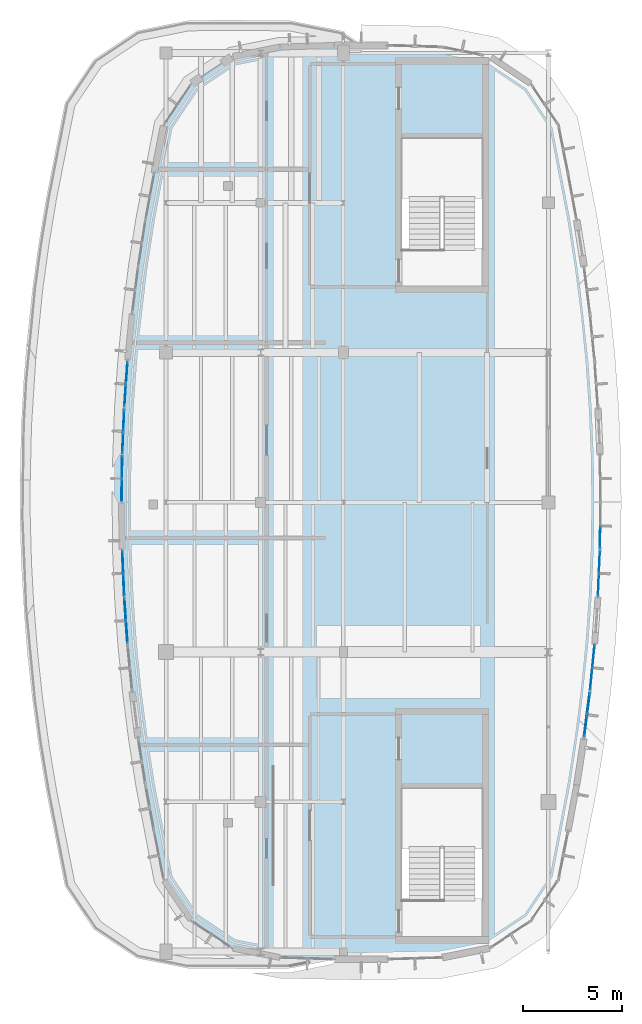
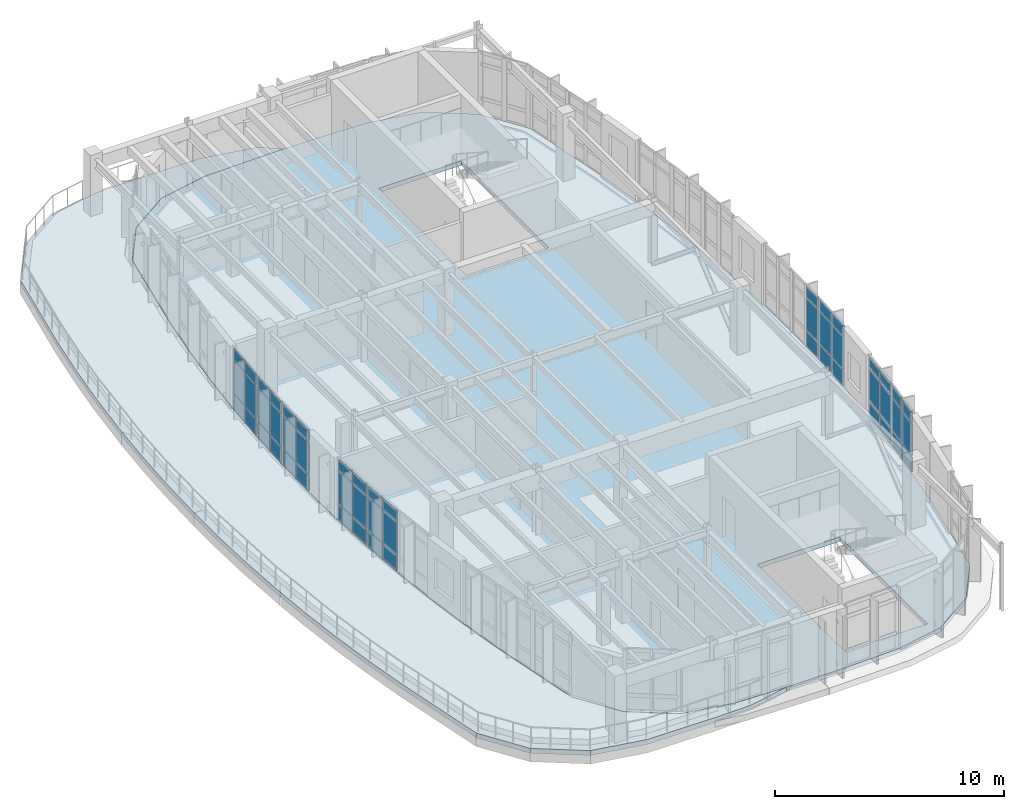
# One storey, part 13 of 20: 51 plates, 2 slabs, 9 elements without a shape of their own.
"""IFC4 building model written with IfcOpenShell, lengths in metres."""

from ifc_helpers import new_model, si_unit, direction, frame, origin, origin_2d, place, context, subcontext, project, spatial, polyline, rectangle, outline, extrude, material, layer, layer_set, type_object, element, aggregate, save


model = new_model("IFC4")

# Units and contexts
model_context = context("Model", 3, precision=1e-05, world=origin(), true_north=direction((0.0, 1.0)))
body_context = subcontext(model_context, "Body", "Model", "MODEL_VIEW")
ifc_project = project(units=[si_unit("LENGTHUNIT", "METRE"), si_unit("AREAUNIT", "SQUARE_METRE"), si_unit("VOLUMEUNIT", "CUBIC_METRE"), si_unit("PLANEANGLEUNIT", "RADIAN"), si_unit("MASSUNIT", "GRAM", prefix="KILO")], contexts=[model_context])

# Site, building, storey
site_placement = place(None, origin())
site = spatial("IfcSite", under=ifc_project, at=site_placement, CompositionType="ELEMENT")
building_placement = place(site_placement, origin())
building = spatial("IfcBuilding", under=site, at=building_placement, Name="Corveleigh Park Community Centre", CompositionType="ELEMENT")
storey_placement = place(building_placement, frame((0.0, 0.0, 16.199951171875)))
storey = spatial("IfcBuildingStorey", under=building, at=storey_placement, Name="L04", CompositionType="ELEMENT", Elevation=16.199951171875)

# Curtain wall, plates
ifc_material_1 = material(Name="Anodised aluminium 6063-T6", Category="aluminium")
curtain_wall_type = type_object("IfcCurtainWallType", Name="CW-SYS-V4-L03", PredefinedType="NOTDEFINED", material=ifc_material_1)
curtain_wall_1_placement = place(storey_placement, origin())
curtain_wall_1 = element("IfcCurtainWall", 1, at=curtain_wall_1_placement, inside=storey, type_object=curtain_wall_type, Name="V4 L04 Curtain Wall 445", PredefinedType="NOTDEFINED")
ifc_material_2 = material(Name="Low-E double glazing", Category="glass")
ifc_layer_1 = layer(ifc_material_2, 0.02392578125, Name="Low-E double glazing", Category="glass")
ifc_layer_set_1 = layer_set([ifc_layer_1], Name="Low-E double glazing")
plate_type_1 = type_object("IfcPlateType", Name="CWP-GLZ-24", PredefinedType="CURTAIN_PANEL", material=ifc_layer_set_1)
plate_1_placement = place(storey_placement, frame((170.68701171875, 73.588134765625, 0.080078125), z_axis=(0.0, 0.0, 1.0), x_axis=(-0.098174367416, -0.995169228615, 0.0)))
plate_1 = element("IfcPlate", 2, at=plate_1_placement, type_object=plate_type_1, Name="CW09 panel 1.1", PredefinedType="CURTAIN_PANEL", context=body_context, shape_type="SweptSolid", body=[
    extrude(rectangle(XDim=1.101806640625, YDim=0.02392578125, at=origin_2d()), origin(), (0.0, 0.0, 1.0), 0.780029296875),
])
plate_2_placement = place(storey_placement, frame((170.68701171875, 73.588134765625, 0.93994140625), z_axis=(0.0, 0.0, 1.0), x_axis=(-0.098174367416, -0.995169228615, 0.0)))
plate_2 = element("IfcPlate", 3, at=plate_2_placement, type_object=plate_type_1, Name="CW09 panel 1.2", PredefinedType="CURTAIN_PANEL", context=body_context, shape_type="SweptSolid", body=[
    extrude(rectangle(XDim=1.101806640625, YDim=0.02392578125, at=origin_2d()), origin(), (0.0, 0.0, 1.0), 1.681884765625),
])
plate_3_placement = place(storey_placement, frame((170.68701171875, 73.588134765625, 2.7021484375), z_axis=(0.0, 0.0, 1.0), x_axis=(-0.098174367416, -0.995169228615, 0.0)))
plate_3 = element("IfcPlate", 4, at=plate_3_placement, type_object=plate_type_1, Name="CW09 panel 1.3", PredefinedType="CURTAIN_PANEL", context=body_context, shape_type="SweptSolid", body=[
    extrude(rectangle(XDim=1.101806640625, YDim=0.02392578125, at=origin_2d()), origin(), (0.0, 0.0, 1.0), 0.530029296875),
])
plate_4_placement = place(storey_placement, frame((170.572998046875, 72.431884765625, 0.080078125), z_axis=(0.0, 0.0, 1.0), x_axis=(-0.098174367416, -0.995169228615, 0.0)))
plate_4 = element("IfcPlate", 5, at=plate_4_placement, type_object=plate_type_1, Name="CW09 panel 2.1", PredefinedType="CURTAIN_PANEL", context=body_context, shape_type="SweptSolid", body=[
    extrude(rectangle(XDim=1.101806640625, YDim=0.02392578125, at=origin_2d()), origin(), (0.0, 0.0, 1.0), 0.780029296875),
])
plate_5_placement = place(storey_placement, frame((170.572998046875, 72.431884765625, 0.93994140625), z_axis=(0.0, 0.0, 1.0), x_axis=(-0.098174367416, -0.995169228615, 0.0)))
plate_5 = element("IfcPlate", 6, at=plate_5_placement, type_object=plate_type_1, Name="CW09 panel 2.2", PredefinedType="CURTAIN_PANEL", context=body_context, shape_type="SweptSolid", body=[
    extrude(rectangle(XDim=1.101806640625, YDim=0.02392578125, at=origin_2d()), origin(), (0.0, 0.0, 1.0), 1.681884765625),
])
plate_6_placement = place(storey_placement, frame((170.572998046875, 72.431884765625, 2.7021484375), z_axis=(0.0, 0.0, 1.0), x_axis=(-0.098174367416, -0.995169228615, 0.0)))
plate_6 = element("IfcPlate", 7, at=plate_6_placement, type_object=plate_type_1, Name="CW09 panel 2.3", PredefinedType="CURTAIN_PANEL", context=body_context, shape_type="SweptSolid", body=[
    extrude(rectangle(XDim=1.101806640625, YDim=0.02392578125, at=origin_2d()), origin(), (0.0, 0.0, 1.0), 0.530029296875),
])
aggregate(curtain_wall_1, [plate_1, plate_2, plate_3, plate_4, plate_5, plate_6])

curtain_wall_2_placement = place(storey_placement, origin())
curtain_wall_2 = element("IfcCurtainWall", 8, at=curtain_wall_2_placement, inside=storey, type_object=curtain_wall_type, Name="V4 L04 Curtain Wall 446", PredefinedType="NOTDEFINED")
plate_7_placement = place(storey_placement, frame((170.992919921875, 78.37841796875, 0.06005859375), z_axis=(0.0, 0.0, 1.0), x_axis=(-0.042799888207, -0.99908366495, 0.0)))
plate_7 = element("IfcPlate", 9, at=plate_7_placement, type_object=plate_type_1, Name="CW09 panel 1.1", PredefinedType="CURTAIN_PANEL", context=body_context, shape_type="SweptSolid", body=[
    extrude(rectangle(XDim=1.093994140625, YDim=0.02392578125, at=origin_2d()), origin(), (0.0, 0.0, 1.0), 0.81005859375),
])
plate_8_placement = place(storey_placement, frame((170.992919921875, 78.37841796875, 0.93017578125), z_axis=(0.0, 0.0, 1.0), x_axis=(-0.042799888207, -0.99908366495, 0.0)))
plate_8 = element("IfcPlate", 10, at=plate_8_placement, type_object=plate_type_1, Name="CW09 panel 1.2", PredefinedType="CURTAIN_PANEL", context=body_context, shape_type="SweptSolid", body=[
    extrude(rectangle(XDim=1.093994140625, YDim=0.02392578125, at=origin_2d()), origin(), (0.0, 0.0, 1.0), 1.701904296875),
])
plate_9_placement = place(storey_placement, frame((170.992919921875, 78.37841796875, 2.692138671875), z_axis=(0.0, 0.0, 1.0), x_axis=(-0.042799888207, -0.99908366495, 0.0)))
plate_9 = element("IfcPlate", 11, at=plate_9_placement, type_object=plate_type_1, Name="CW09 panel 1.3", PredefinedType="CURTAIN_PANEL", context=body_context, shape_type="SweptSolid", body=[
    extrude(rectangle(XDim=1.093994140625, YDim=0.02392578125, at=origin_2d()), origin(), (0.0, 0.0, 1.0), 0.56005859375),
])
plate_10_placement = place(storey_placement, frame((170.943115234375, 77.220458984375, 0.06005859375), z_axis=(0.0, 0.0, 1.0), x_axis=(-0.042799888207, -0.99908366495, 0.0)))
plate_10 = element("IfcPlate", 12, at=plate_10_placement, type_object=plate_type_1, Name="CW09 panel 2.1", PredefinedType="CURTAIN_PANEL", context=body_context, shape_type="SweptSolid", body=[
    extrude(rectangle(XDim=1.093994140625, YDim=0.02392578125, at=origin_2d()), origin(), (0.0, 0.0, 1.0), 0.81005859375),
])
plate_11_placement = place(storey_placement, frame((170.943115234375, 77.220458984375, 0.93017578125), z_axis=(0.0, 0.0, 1.0), x_axis=(-0.042799888207, -0.99908366495, 0.0)))
plate_11 = element("IfcPlate", 13, at=plate_11_placement, type_object=plate_type_1, Name="CW09 panel 2.2", PredefinedType="CURTAIN_PANEL", context=body_context, shape_type="SweptSolid", body=[
    extrude(rectangle(XDim=1.093994140625, YDim=0.02392578125, at=origin_2d()), origin(), (0.0, 0.0, 1.0), 1.701904296875),
])
plate_12_placement = place(storey_placement, frame((170.943115234375, 77.220458984375, 2.692138671875), z_axis=(0.0, 0.0, 1.0), x_axis=(-0.042799888207, -0.99908366495, 0.0)))
plate_12 = element("IfcPlate", 14, at=plate_12_placement, type_object=plate_type_1, Name="CW09 panel 2.3", PredefinedType="CURTAIN_PANEL", context=body_context, shape_type="SweptSolid", body=[
    extrude(rectangle(XDim=1.093994140625, YDim=0.02392578125, at=origin_2d()), origin(), (0.0, 0.0, 1.0), 0.56005859375),
])
aggregate(curtain_wall_2, [plate_7, plate_8, plate_9, plate_10, plate_11, plate_12])

curtain_wall_3_placement = place(storey_placement, origin())
curtain_wall_3 = element("IfcCurtainWall", 15, at=curtain_wall_3_placement, inside=storey, type_object=curtain_wall_type, Name="V4 L04 Curtain Wall 447", PredefinedType="NOTDEFINED")
ifc_layer_2 = layer(ifc_material_2, 0.028076171875, Name="Low-E double glazing", Category="glass")
ifc_layer_set_2 = layer_set([ifc_layer_2], Name="Low-E double glazing")
plate_type_2 = type_object("IfcPlateType", Name="CWP-GLZ-28", PredefinedType="CURTAIN_PANEL", material=ifc_layer_set_2)
plate_13_placement = place(storey_placement, frame((171.02783203125, 79.621337890625, 0.06494140625), z_axis=(0.0, 0.0, 1.0), x_axis=(-0.01426627775, -0.999898231481, 0.0)))
plate_13 = element("IfcPlate", 16, at=plate_13_placement, type_object=plate_type_2, Name="CW09 panel 2.1", PredefinedType="CURTAIN_PANEL", context=body_context, shape_type="SweptSolid", body=[
    extrude(rectangle(XDim=1.086669921875, YDim=0.028076171875, at=origin_2d()), origin(), (0.0, 0.0, 1.0), 0.802490234375),
])
plate_14_placement = place(storey_placement, frame((171.02783203125, 79.621337890625, 0.9326171875), z_axis=(0.0, 0.0, 1.0), x_axis=(-0.01426627775, -0.999898231481, 0.0)))
plate_14 = element("IfcPlate", 17, at=plate_14_placement, type_object=plate_type_2, Name="CW09 panel 2.2", PredefinedType="CURTAIN_PANEL", context=body_context, shape_type="SweptSolid", body=[
    extrude(rectangle(XDim=1.086669921875, YDim=0.028076171875, at=origin_2d()), origin(), (0.0, 0.0, 1.0), 1.697021484375),
])
plate_15_placement = place(storey_placement, frame((171.02783203125, 79.621337890625, 2.6943359375), z_axis=(0.0, 0.0, 1.0), x_axis=(-0.01426627775, -0.999898231481, 0.0)))
plate_15 = element("IfcPlate", 18, at=plate_15_placement, type_object=plate_type_2, Name="CW09 panel 2.3", PredefinedType="CURTAIN_PANEL", context=body_context, shape_type="SweptSolid", body=[
    extrude(rectangle(XDim=1.086669921875, YDim=0.028076171875, at=origin_2d()), origin(), (0.0, 0.0, 1.0), 0.552490234375),
])
aggregate(curtain_wall_3, [plate_13, plate_14, plate_15])

curtain_wall_4_placement = place(storey_placement, origin())
curtain_wall_4 = element("IfcCurtainWall", 19, at=curtain_wall_4_placement, inside=storey, type_object=curtain_wall_type, Name="V4 L04 Curtain Wall 461", PredefinedType="NOTDEFINED")
ifc_layer_3 = layer(ifc_material_2, 0.031982421875, Name="Low-E double glazing", Category="glass")
ifc_layer_set_3 = layer_set([ifc_layer_3], Name="Low-E double glazing")
plate_type_3 = type_object("IfcPlateType", Name="CWP-GLZ-32", PredefinedType="CURTAIN_PANEL", material=ifc_layer_set_3)
plate_16_placement = place(storey_placement, frame((146.92724609375, 86.8232421875, 0.06005859375), z_axis=(0.0, 0.0, 1.0), x_axis=(0.070083872142, 0.997541102344, 0.0)))
plate_16 = element("IfcPlate", 20, at=plate_16_placement, type_object=plate_type_3, Name="CW09 panel 1.1", PredefinedType="CURTAIN_PANEL", context=body_context, shape_type="SweptSolid", body=[
    extrude(rectangle(XDim=1.071533203125, YDim=0.031982421875, at=origin_2d()), origin(), (0.0, 0.0, 1.0), 0.81005859375),
])
plate_17_placement = place(storey_placement, frame((146.92724609375, 86.8232421875, 0.929931640625), z_axis=(0.0, 0.0, 1.0), x_axis=(0.070083872142, 0.997541102344, 0.0)))
plate_17 = element("IfcPlate", 21, at=plate_17_placement, type_object=plate_type_3, Name="CW09 panel 1.2", PredefinedType="CURTAIN_PANEL", context=body_context, shape_type="SweptSolid", body=[
    extrude(rectangle(XDim=1.071533203125, YDim=0.031982421875, at=origin_2d()), origin(), (0.0, 0.0, 1.0), 1.72705078125),
])
plate_18_placement = place(storey_placement, frame((146.92724609375, 86.8232421875, 2.717041015625), z_axis=(0.0, 0.0, 1.0), x_axis=(0.070083872142, 0.997541102344, 0.0)))
plate_18 = element("IfcPlate", 22, at=plate_18_placement, type_object=plate_type_3, Name="CW09 panel 1.3", PredefinedType="CURTAIN_PANEL", context=body_context, shape_type="SweptSolid", body=[
    extrude(rectangle(XDim=1.071533203125, YDim=0.031982421875, at=origin_2d()), origin(), (0.0, 0.0, 1.0), 0.56005859375),
])
plate_19_placement = place(storey_placement, frame((147.0078125, 87.9716796875, 0.06005859375), z_axis=(0.0, 0.0, 1.0), x_axis=(0.070083872142, 0.997541102344, 0.0)))
plate_19 = element("IfcPlate", 23, at=plate_19_placement, type_object=plate_type_3, Name="CW09 panel 2.1", PredefinedType="CURTAIN_PANEL", context=body_context, shape_type="SweptSolid", body=[
    extrude(rectangle(XDim=1.071533203125, YDim=0.031982421875, at=origin_2d()), origin(), (0.0, 0.0, 1.0), 0.81005859375),
])
plate_20_placement = place(storey_placement, frame((147.0078125, 87.9716796875, 0.929931640625), z_axis=(0.0, 0.0, 1.0), x_axis=(0.070083872142, 0.997541102344, 0.0)))
plate_20 = element("IfcPlate", 24, at=plate_20_placement, type_object=plate_type_3, Name="CW09 panel 2.2", PredefinedType="CURTAIN_PANEL", context=body_context, shape_type="SweptSolid", body=[
    extrude(rectangle(XDim=1.071533203125, YDim=0.031982421875, at=origin_2d()), origin(), (0.0, 0.0, 1.0), 1.72705078125),
])
plate_21_placement = place(storey_placement, frame((147.0078125, 87.9716796875, 2.717041015625), z_axis=(0.0, 0.0, 1.0), x_axis=(0.070083872142, 0.997541102344, 0.0)))
plate_21 = element("IfcPlate", 25, at=plate_21_placement, type_object=plate_type_3, Name="CW09 panel 2.3", PredefinedType="CURTAIN_PANEL", context=body_context, shape_type="SweptSolid", body=[
    extrude(rectangle(XDim=1.071533203125, YDim=0.031982421875, at=origin_2d()), origin(), (0.0, 0.0, 1.0), 0.56005859375),
])
aggregate(curtain_wall_4, [plate_16, plate_17, plate_18, plate_19, plate_20, plate_21])

curtain_wall_5_placement = place(storey_placement, origin())
curtain_wall_5 = element("IfcCurtainWall", 26, at=curtain_wall_5_placement, inside=storey, type_object=curtain_wall_type, Name="V4 L04 Curtain Wall 462", PredefinedType="NOTDEFINED")
plate_22_placement = place(storey_placement, frame((146.807373046875, 84.426513671875, 0.06494140625), z_axis=(0.0, 0.0, 1.0), x_axis=(0.042799888207, 0.99908366495, 0.0)))
plate_22 = element("IfcPlate", 27, at=plate_22_placement, type_object=plate_type_3, Name="CW09 panel 1.1", PredefinedType="CURTAIN_PANEL", context=body_context, shape_type="SweptSolid", body=[
    extrude(rectangle(XDim=1.064208984375, YDim=0.031982421875, at=origin_2d()), origin(), (0.0, 0.0, 1.0), 0.802490234375),
])
plate_23_placement = place(storey_placement, frame((146.807373046875, 84.426513671875, 0.9326171875), z_axis=(0.0, 0.0, 1.0), x_axis=(0.042799888207, 0.99908366495, 0.0)))
plate_23 = element("IfcPlate", 28, at=plate_23_placement, type_object=plate_type_3, Name="CW09 panel 1.2", PredefinedType="CURTAIN_PANEL", context=body_context, shape_type="SweptSolid", body=[
    extrude(rectangle(XDim=1.064208984375, YDim=0.031982421875, at=origin_2d()), origin(), (0.0, 0.0, 1.0), 1.721923828125),
])
plate_24_placement = place(storey_placement, frame((146.807373046875, 84.426513671875, 2.7197265625), z_axis=(0.0, 0.0, 1.0), x_axis=(0.042799888207, 0.99908366495, 0.0)))
plate_24 = element("IfcPlate", 29, at=plate_24_placement, type_object=plate_type_3, Name="CW09 panel 1.3", PredefinedType="CURTAIN_PANEL", context=body_context, shape_type="SweptSolid", body=[
    extrude(rectangle(XDim=1.064208984375, YDim=0.031982421875, at=origin_2d()), origin(), (0.0, 0.0, 1.0), 0.552490234375),
])
plate_25_placement = place(storey_placement, frame((146.856689453125, 85.574462890625, 0.06494140625), z_axis=(0.0, 0.0, 1.0), x_axis=(0.042799888207, 0.99908366495, 0.0)))
plate_25 = element("IfcPlate", 30, at=plate_25_placement, type_object=plate_type_3, Name="CW09 panel 2.1", PredefinedType="CURTAIN_PANEL", context=body_context, shape_type="SweptSolid", body=[
    extrude(rectangle(XDim=1.064208984375, YDim=0.031982421875, at=origin_2d()), origin(), (0.0, 0.0, 1.0), 0.802490234375),
])
plate_26_placement = place(storey_placement, frame((146.856689453125, 85.574462890625, 0.9326171875), z_axis=(0.0, 0.0, 1.0), x_axis=(0.042799888207, 0.99908366495, 0.0)))
plate_26 = element("IfcPlate", 31, at=plate_26_placement, type_object=plate_type_3, Name="CW09 panel 2.2", PredefinedType="CURTAIN_PANEL", context=body_context, shape_type="SweptSolid", body=[
    extrude(rectangle(XDim=1.064208984375, YDim=0.031982421875, at=origin_2d()), origin(), (0.0, 0.0, 1.0), 1.721923828125),
])
plate_27_placement = place(storey_placement, frame((146.856689453125, 85.574462890625, 2.7197265625), z_axis=(0.0, 0.0, 1.0), x_axis=(0.042799888207, 0.99908366495, 0.0)))
plate_27 = element("IfcPlate", 32, at=plate_27_placement, type_object=plate_type_3, Name="CW09 panel 2.3", PredefinedType="CURTAIN_PANEL", context=body_context, shape_type="SweptSolid", body=[
    extrude(rectangle(XDim=1.064208984375, YDim=0.031982421875, at=origin_2d()), origin(), (0.0, 0.0, 1.0), 0.552490234375),
])
aggregate(curtain_wall_5, [plate_22, plate_23, plate_24, plate_25, plate_26, plate_27])

curtain_wall_6_placement = place(storey_placement, origin())
curtain_wall_6 = element("IfcCurtainWall", 33, at=curtain_wall_6_placement, inside=storey, type_object=curtain_wall_type, Name="V4 L04 Curtain Wall 463", PredefinedType="NOTDEFINED")
ifc_layer_4 = layer(ifc_material_2, 0.035888671875, Name="Low-E double glazing", Category="glass")
ifc_layer_set_4 = layer_set([ifc_layer_4], Name="Low-E double glazing")
plate_type_4 = type_object("IfcPlateType", Name="CWP-GLZ-36", PredefinedType="CURTAIN_PANEL", material=ifc_layer_set_4)
plate_28_placement = place(storey_placement, frame((146.755615234375, 82.019775390625, 0.070068359375), z_axis=(0.0, 0.0, 1.0), x_axis=(0.01426627775, 0.999898231481, 0.0)))
plate_28 = element("IfcPlate", 34, at=plate_28_placement, type_object=plate_type_4, Name="CW09 panel 1.1", PredefinedType="CURTAIN_PANEL", context=body_context, shape_type="SweptSolid", body=[
    extrude(rectangle(XDim=1.1015625, YDim=0.035888671875, at=origin_2d()), origin(), (0.0, 0.0, 1.0), 0.794921875),
])
plate_29_placement = place(storey_placement, frame((146.755615234375, 82.019775390625, 0.93505859375), z_axis=(0.0, 0.0, 1.0), x_axis=(0.01426627775, 0.999898231481, 0.0)))
plate_29 = element("IfcPlate", 35, at=plate_29_placement, type_object=plate_type_4, Name="CW09 panel 1.2", PredefinedType="CURTAIN_PANEL", context=body_context, shape_type="SweptSolid", body=[
    extrude(rectangle(XDim=1.1015625, YDim=0.035888671875, at=origin_2d()), origin(), (0.0, 0.0, 1.0), 1.717041015625),
])
plate_30_placement = place(storey_placement, frame((146.755615234375, 82.019775390625, 2.72216796875), z_axis=(0.0, 0.0, 1.0), x_axis=(0.01426627775, 0.999898231481, 0.0)))
plate_30 = element("IfcPlate", 36, at=plate_30_placement, type_object=plate_type_4, Name="CW09 panel 1.3", PredefinedType="CURTAIN_PANEL", context=body_context, shape_type="SweptSolid", body=[
    extrude(rectangle(XDim=1.1015625, YDim=0.035888671875, at=origin_2d()), origin(), (0.0, 0.0, 1.0), 0.544921875),
])
plate_31_placement = place(storey_placement, frame((146.772216796875, 83.18115234375, 0.070068359375), z_axis=(0.0, 0.0, 1.0), x_axis=(0.01426627775, 0.999898231481, 0.0)))
plate_31 = element("IfcPlate", 37, at=plate_31_placement, type_object=plate_type_4, Name="CW09 panel 2.1", PredefinedType="CURTAIN_PANEL", context=body_context, shape_type="SweptSolid", body=[
    extrude(rectangle(XDim=1.1015625, YDim=0.035888671875, at=origin_2d()), origin(), (0.0, 0.0, 1.0), 0.794921875),
])
plate_32_placement = place(storey_placement, frame((146.772216796875, 83.18115234375, 0.93505859375), z_axis=(0.0, 0.0, 1.0), x_axis=(0.01426627775, 0.999898231481, 0.0)))
plate_32 = element("IfcPlate", 38, at=plate_32_placement, type_object=plate_type_4, Name="CW09 panel 2.2", PredefinedType="CURTAIN_PANEL", context=body_context, shape_type="SweptSolid", body=[
    extrude(rectangle(XDim=1.1015625, YDim=0.035888671875, at=origin_2d()), origin(), (0.0, 0.0, 1.0), 1.717041015625),
])
plate_33_placement = place(storey_placement, frame((146.772216796875, 83.18115234375, 2.72216796875), z_axis=(0.0, 0.0, 1.0), x_axis=(0.01426627775, 0.999898231481, 0.0)))
plate_33 = element("IfcPlate", 39, at=plate_33_placement, type_object=plate_type_4, Name="CW09 panel 2.3", PredefinedType="CURTAIN_PANEL", context=body_context, shape_type="SweptSolid", body=[
    extrude(rectangle(XDim=1.1015625, YDim=0.035888671875, at=origin_2d()), origin(), (0.0, 0.0, 1.0), 0.544921875),
])
aggregate(curtain_wall_6, [plate_28, plate_29, plate_30, plate_31, plate_32, plate_33])

curtain_wall_7_placement = place(storey_placement, origin())
curtain_wall_7 = element("IfcCurtainWall", 40, at=curtain_wall_7_placement, inside=storey, type_object=curtain_wall_type, Name="V4 L04 Curtain Wall 464", PredefinedType="NOTDEFINED")
plate_34_placement = place(storey_placement, frame((146.856689453125, 77.220458984375, 0.074951171875), z_axis=(0.0, 0.0, 1.0), x_axis=(-0.042799888207, 0.99908366495, 0.0)))
plate_34 = element("IfcPlate", 41, at=plate_34_placement, type_object=plate_type_4, Name="CW09 panel 1.1", PredefinedType="CURTAIN_PANEL", context=body_context, shape_type="SweptSolid", body=[
    extrude(rectangle(XDim=1.093994140625, YDim=0.035888671875, at=origin_2d()), origin(), (0.0, 0.0, 1.0), 0.78759765625),
])
plate_35_placement = place(storey_placement, frame((146.856689453125, 77.220458984375, 0.9375), z_axis=(0.0, 0.0, 1.0), x_axis=(-0.042799888207, 0.99908366495, 0.0)))
plate_35 = element("IfcPlate", 42, at=plate_35_placement, type_object=plate_type_4, Name="CW09 panel 1.2", PredefinedType="CURTAIN_PANEL", context=body_context, shape_type="SweptSolid", body=[
    extrude(rectangle(XDim=1.093994140625, YDim=0.035888671875, at=origin_2d()), origin(), (0.0, 0.0, 1.0), 1.7119140625),
])
plate_36_placement = place(storey_placement, frame((146.856689453125, 77.220458984375, 2.724609375), z_axis=(0.0, 0.0, 1.0), x_axis=(-0.042799888207, 0.99908366495, 0.0)))
plate_36 = element("IfcPlate", 43, at=plate_36_placement, type_object=plate_type_4, Name="CW09 panel 1.3", PredefinedType="CURTAIN_PANEL", context=body_context, shape_type="SweptSolid", body=[
    extrude(rectangle(XDim=1.093994140625, YDim=0.035888671875, at=origin_2d()), origin(), (0.0, 0.0, 1.0), 0.53759765625),
])
plate_37_placement = place(storey_placement, frame((146.80712890625, 78.37841796875, 0.074951171875), z_axis=(0.0, 0.0, 1.0), x_axis=(-0.042799888207, 0.99908366495, 0.0)))
plate_37 = element("IfcPlate", 44, at=plate_37_placement, type_object=plate_type_4, Name="CW09 panel 2.1", PredefinedType="CURTAIN_PANEL", context=body_context, shape_type="SweptSolid", body=[
    extrude(rectangle(XDim=1.093994140625, YDim=0.035888671875, at=origin_2d()), origin(), (0.0, 0.0, 1.0), 0.78759765625),
])
plate_38_placement = place(storey_placement, frame((146.80712890625, 78.37841796875, 0.9375), z_axis=(0.0, 0.0, 1.0), x_axis=(-0.042799888207, 0.99908366495, 0.0)))
plate_38 = element("IfcPlate", 45, at=plate_38_placement, type_object=plate_type_4, Name="CW09 panel 2.2", PredefinedType="CURTAIN_PANEL", context=body_context, shape_type="SweptSolid", body=[
    extrude(rectangle(XDim=1.093994140625, YDim=0.035888671875, at=origin_2d()), origin(), (0.0, 0.0, 1.0), 1.7119140625),
])
plate_39_placement = place(storey_placement, frame((146.80712890625, 78.37841796875, 2.724609375), z_axis=(0.0, 0.0, 1.0), x_axis=(-0.042799888207, 0.99908366495, 0.0)))
plate_39 = element("IfcPlate", 46, at=plate_39_placement, type_object=plate_type_4, Name="CW09 panel 2.3", PredefinedType="CURTAIN_PANEL", context=body_context, shape_type="SweptSolid", body=[
    extrude(rectangle(XDim=1.093994140625, YDim=0.035888671875, at=origin_2d()), origin(), (0.0, 0.0, 1.0), 0.53759765625),
])
aggregate(curtain_wall_7, [plate_34, plate_35, plate_36, plate_37, plate_38, plate_39])

curtain_wall_8_placement = place(storey_placement, origin())
curtain_wall_8 = element("IfcCurtainWall", 47, at=curtain_wall_8_placement, inside=storey, type_object=curtain_wall_type, Name="V4 L04 Curtain Wall 465", PredefinedType="NOTDEFINED")
ifc_layer_5 = layer(ifc_material_2, 0.0400390625, Name="Low-E double glazing", Category="glass")
ifc_layer_set_5 = layer_set([ifc_layer_5], Name="Low-E double glazing")
plate_type_5 = type_object("IfcPlateType", Name="CWP-GLZ-40", PredefinedType="CURTAIN_PANEL", material=ifc_layer_set_5)
plate_40_placement = place(storey_placement, frame((147.008056640625, 74.82568359375, 0.080078125), z_axis=(0.0, 0.0, 1.0), x_axis=(-0.070083872142, 0.997541102344, 0.0)))
plate_40 = element("IfcPlate", 48, at=plate_40_placement, type_object=plate_type_5, Name="CW09 panel 1.1", PredefinedType="CURTAIN_PANEL", context=body_context, shape_type="SweptSolid", body=[
    extrude(rectangle(XDim=1.08642578125, YDim=0.0400390625, at=origin_2d()), origin(), (0.0, 0.0, 1.0), 0.780029296875),
])
plate_41_placement = place(storey_placement, frame((147.008056640625, 74.82568359375, 0.93994140625), z_axis=(0.0, 0.0, 1.0), x_axis=(-0.070083872142, 0.997541102344, 0.0)))
plate_41 = element("IfcPlate", 49, at=plate_41_placement, type_object=plate_type_5, Name="CW09 panel 1.2", PredefinedType="CURTAIN_PANEL", context=body_context, shape_type="SweptSolid", body=[
    extrude(rectangle(XDim=1.08642578125, YDim=0.0400390625, at=origin_2d()), origin(), (0.0, 0.0, 1.0), 1.70703125),
])
plate_42_placement = place(storey_placement, frame((147.008056640625, 74.82568359375, 2.72705078125), z_axis=(0.0, 0.0, 1.0), x_axis=(-0.070083872142, 0.997541102344, 0.0)))
plate_42 = element("IfcPlate", 50, at=plate_42_placement, type_object=plate_type_5, Name="CW09 panel 1.3", PredefinedType="CURTAIN_PANEL", context=body_context, shape_type="SweptSolid", body=[
    extrude(rectangle(XDim=1.08642578125, YDim=0.0400390625, at=origin_2d()), origin(), (0.0, 0.0, 1.0), 0.530029296875),
])
plate_43_placement = place(storey_placement, frame((146.927001953125, 75.979248046875, 0.080078125), z_axis=(0.0, 0.0, 1.0), x_axis=(-0.070083872142, 0.997541102344, 0.0)))
plate_43 = element("IfcPlate", 51, at=plate_43_placement, type_object=plate_type_5, Name="CW09 panel 2.1", PredefinedType="CURTAIN_PANEL", context=body_context, shape_type="SweptSolid", body=[
    extrude(rectangle(XDim=1.08642578125, YDim=0.0400390625, at=origin_2d()), origin(), (0.0, 0.0, 1.0), 0.780029296875),
])
plate_44_placement = place(storey_placement, frame((146.927001953125, 75.979248046875, 0.93994140625), z_axis=(0.0, 0.0, 1.0), x_axis=(-0.070083872142, 0.997541102344, 0.0)))
plate_44 = element("IfcPlate", 52, at=plate_44_placement, type_object=plate_type_5, Name="CW09 panel 2.2", PredefinedType="CURTAIN_PANEL", context=body_context, shape_type="SweptSolid", body=[
    extrude(rectangle(XDim=1.08642578125, YDim=0.0400390625, at=origin_2d()), origin(), (0.0, 0.0, 1.0), 1.70703125),
])
plate_45_placement = place(storey_placement, frame((146.927001953125, 75.979248046875, 2.72705078125), z_axis=(0.0, 0.0, 1.0), x_axis=(-0.070083872142, 0.997541102344, 0.0)))
plate_45 = element("IfcPlate", 53, at=plate_45_placement, type_object=plate_type_5, Name="CW09 panel 2.3", PredefinedType="CURTAIN_PANEL", context=body_context, shape_type="SweptSolid", body=[
    extrude(rectangle(XDim=1.08642578125, YDim=0.0400390625, at=origin_2d()), origin(), (0.0, 0.0, 1.0), 0.530029296875),
])
aggregate(curtain_wall_8, [plate_40, plate_41, plate_42, plate_43, plate_44, plate_45])

curtain_wall_9_placement = place(storey_placement, origin())
curtain_wall_9 = element("IfcCurtainWall", 54, at=curtain_wall_9_placement, inside=storey, type_object=curtain_wall_type, Name="V4 L04 Curtain Wall 444", PredefinedType="NOTDEFINED")
ifc_layer_6 = layer(ifc_material_2, 0.0439453125, Name="Low-E double glazing", Category="glass")
ifc_layer_set_6 = layer_set([ifc_layer_6], Name="Low-E double glazing")
plate_type_6 = type_object("IfcPlateType", Name="CWP-GLZ-44", PredefinedType="CURTAIN_PANEL", material=ifc_layer_set_6)
plate_46_placement = place(storey_placement, frame((170.432861328125, 71.19384765625, 0.074951171875), z_axis=(0.0, 0.0, 1.0), x_axis=(-0.126719731618, -0.991938561413, 0.0)))
plate_46 = element("IfcPlate", 55, at=plate_46_placement, type_object=plate_type_6, Name="CW09 panel 1.1", PredefinedType="CURTAIN_PANEL", context=body_context, shape_type="SweptSolid", body=[
    extrude(rectangle(XDim=1.064208984375, YDim=0.0439453125, at=origin_2d()), origin(), (0.0, 0.0, 1.0), 0.78759765625),
])
plate_47_placement = place(storey_placement, frame((170.432861328125, 71.19384765625, 0.9375), z_axis=(0.0, 0.0, 1.0), x_axis=(-0.126719731618, -0.991938561413, 0.0)))
plate_47 = element("IfcPlate", 56, at=plate_47_placement, type_object=plate_type_6, Name="CW09 panel 1.2", PredefinedType="CURTAIN_PANEL", context=body_context, shape_type="SweptSolid", body=[
    extrude(rectangle(XDim=1.064208984375, YDim=0.0439453125, at=origin_2d()), origin(), (0.0, 0.0, 1.0), 1.68701171875),
])
plate_48_placement = place(storey_placement, frame((170.432861328125, 71.19384765625, 2.699462890625), z_axis=(0.0, 0.0, 1.0), x_axis=(-0.126719731618, -0.991938561413, 0.0)))
plate_48 = element("IfcPlate", 57, at=plate_48_placement, type_object=plate_type_6, Name="CW09 panel 1.3", PredefinedType="CURTAIN_PANEL", context=body_context, shape_type="SweptSolid", body=[
    extrude(rectangle(XDim=1.064208984375, YDim=0.0439453125, at=origin_2d()), origin(), (0.0, 0.0, 1.0), 0.53759765625),
])
plate_49_placement = place(storey_placement, frame((170.287109375, 70.05419921875, 0.074951171875), z_axis=(0.0, 0.0, 1.0), x_axis=(-0.126719731618, -0.991938561413, 0.0)))
plate_49 = element("IfcPlate", 58, at=plate_49_placement, type_object=plate_type_6, Name="CW09 panel 2.1", PredefinedType="CURTAIN_PANEL", context=body_context, shape_type="SweptSolid", body=[
    extrude(rectangle(XDim=1.064208984375, YDim=0.0439453125, at=origin_2d()), origin(), (0.0, 0.0, 1.0), 0.78759765625),
])
plate_50_placement = place(storey_placement, frame((170.287109375, 70.05419921875, 0.9375), z_axis=(0.0, 0.0, 1.0), x_axis=(-0.126719731618, -0.991938561413, 0.0)))
plate_50 = element("IfcPlate", 59, at=plate_50_placement, type_object=plate_type_6, Name="CW09 panel 2.2", PredefinedType="CURTAIN_PANEL", context=body_context, shape_type="SweptSolid", body=[
    extrude(rectangle(XDim=1.064208984375, YDim=0.0439453125, at=origin_2d()), origin(), (0.0, 0.0, 1.0), 1.68701171875),
])
plate_51_placement = place(storey_placement, frame((170.287109375, 70.05419921875, 2.699462890625), z_axis=(0.0, 0.0, 1.0), x_axis=(-0.126719731618, -0.991938561413, 0.0)))
plate_51 = element("IfcPlate", 60, at=plate_51_placement, type_object=plate_type_6, Name="CW09 panel 2.3", PredefinedType="CURTAIN_PANEL", context=body_context, shape_type="SweptSolid", body=[
    extrude(rectangle(XDim=1.064208984375, YDim=0.0439453125, at=origin_2d()), origin(), (0.0, 0.0, 1.0), 0.53759765625),
])
aggregate(curtain_wall_9, [plate_46, plate_47, plate_48, plate_49, plate_50, plate_51])

# Slabs
ifc_material_3 = material(Name="Concrete C32/40", Category="concrete")
ifc_layer_7 = layer(ifc_material_3, 0.235107421875, Name="Concrete C32/40", Category="concrete")
ifc_layer_set_7 = layer_set([ifc_layer_7], Name="Concrete C32/40")
slab_type_1 = type_object("IfcSlabType", Name="SLB-FLR-235", PredefinedType="FLOOR", material=ifc_layer_set_7)
slab_1_placement = place(storey_placement, frame((0.0, 0.0, -0.23486328125)))
element("IfcSlab", 61, at=slab_1_placement, inside=storey, type_object=slab_type_1, Name="V4 L04 floor slab", PredefinedType="FLOOR", context=body_context, shape_type="SweptSolid", body=[
    extrude(outline(polyline([(152.35107421875, 58.787109375), (150.27490234375, 60.175048828125), (148.886962890625, 62.2509765625), (147.962890625, 67.06103515625), (147.592041015625, 69.43310546875), (147.2880859375, 71.81494140625), (147.052001953125, 74.205078125), (146.883056640625, 76.60009765625), (146.781005859375, 78.9990234375), (146.7470703125, 81.39990234375), (146.781005859375, 83.801025390625), (146.883056640625, 86.199951171875), (147.052001953125, 88.594970703125), (147.2880859375, 90.985107421875), (147.592041015625, 93.366943359375), (147.962890625, 95.739013671875), (148.886962890625, 100.549072265625), (150.27490234375, 102.625), (152.35107421875, 104.012939453125), (154.800048828125, 104.5), (157.532958984375, 104.5859375), (160.26708984375, 104.5859375), (163.0, 104.5), (165.448974609375, 104.012939453125), (167.52490234375, 102.625), (168.9130859375, 100.549072265625), (169.8369140625, 95.739013671875), (170.2080078125, 93.366943359375), (170.511962890625, 90.985107421875), (170.748046875, 88.594970703125), (170.9169921875, 86.199951171875), (171.01904296875, 83.801025390625), (171.052978515625, 81.39990234375), (171.01904296875, 78.9990234375), (170.9169921875, 76.60009765625), (170.748046875, 74.205078125), (170.511962890625, 71.81494140625), (170.2080078125, 69.43310546875), (169.8369140625, 67.06103515625), (168.9130859375, 62.2509765625), (167.52490234375, 60.175048828125), (165.448974609375, 58.787109375), (163.0, 58.300048828125), (160.26708984375, 58.214111328125), (157.532958984375, 58.214111328125), (154.800048828125, 58.300048828125), (152.35107421875, 58.787109375)]), holes=[polyline([(160.9208984375, 59.321044921875), (165.0791015625, 59.321044921875), (165.0791015625, 66.928955078125), (160.9208984375, 66.928955078125), (160.9208984375, 59.321044921875)]), polyline([(160.9208984375, 92.321044921875), (165.0791015625, 92.321044921875), (165.0791015625, 99.928955078125), (160.9208984375, 99.928955078125), (160.9208984375, 92.321044921875)])]), origin(), (0.0, 0.0, 1.0), 0.23486328125),
])
ifc_layer_8 = layer(ifc_material_3, 0.2548828125, Name="Concrete C32/40", Category="concrete")
ifc_layer_set_8 = layer_set([ifc_layer_8], Name="Concrete C32/40")
slab_type_2 = type_object("IfcSlabType", Name="SLB-TER-255", PredefinedType="FLOOR", material=ifc_layer_set_8)
slab_2_placement = place(storey_placement, frame((0.0, 0.0, -0.2548828125)))
element("IfcSlab", 62, at=slab_2_placement, inside=storey, type_object=slab_type_2, Name="Step 4 STEM and Language Terrace bay 1", PredefinedType="FLOOR", context=body_context, shape_type="SweptSolid", body=[
    extrude(outline(polyline([(155.303955078125, 57.800048828125), (153.568115234375, 57.764892578125), (150.095947265625, 57.800048828125), (147.533935546875, 58.31005859375), (145.361083984375, 59.760986328125), (143.909912109375, 61.93408203125), (142.958984375, 66.777099609375), (142.580078125, 69.069091796875), (142.262939453125, 71.37109375), (142.010009765625, 73.679931640625), (141.820068359375, 75.99609375), (141.693115234375, 78.31591796875), (141.6298828125, 80.637939453125), (141.6298828125, 82.9619140625), (141.693115234375, 85.283935546875), (141.820068359375, 87.60400390625), (142.010009765625, 89.919921875), (142.262939453125, 92.22900390625), (142.580078125, 94.531005859375), (142.958984375, 96.822998046875), (143.909912109375, 101.666015625), (145.361083984375, 103.839111328125), (147.533935546875, 105.2900390625), (150.095947265625, 105.800048828125), (151.83203125, 105.8349609375), (155.303955078125, 105.800048828125), (157.865966796875, 105.2900390625), (158.89794921875, 104.60107421875), (154.798095703125, 104.514892578125), (152.347900390625, 104.028076171875), (150.262939453125, 102.633056640625), (148.8720703125, 100.552001953125), (147.947998046875, 95.741943359375), (147.576904296875, 93.368896484375), (147.27294921875, 90.986083984375), (147.037109375, 88.595947265625), (146.867919921875, 86.200927734375), (146.76611328125, 83.802001953125), (146.73193359375, 81.39990234375), (146.76611328125, 78.9990234375), (146.867919921875, 76.59912109375), (147.037109375, 74.2041015625), (147.27294921875, 71.81396484375), (147.576904296875, 69.430908203125), (147.947998046875, 67.05810546875), (148.873046875, 62.2470703125), (150.263916015625, 60.1640625), (152.343994140625, 58.77392578125), (154.798095703125, 58.284912109375), (157.339111328125, 58.205078125), (155.303955078125, 57.800048828125)])), origin(), (0.0, 0.0, 1.0), 0.2548828125),
])

save(model, "model.ifc")
